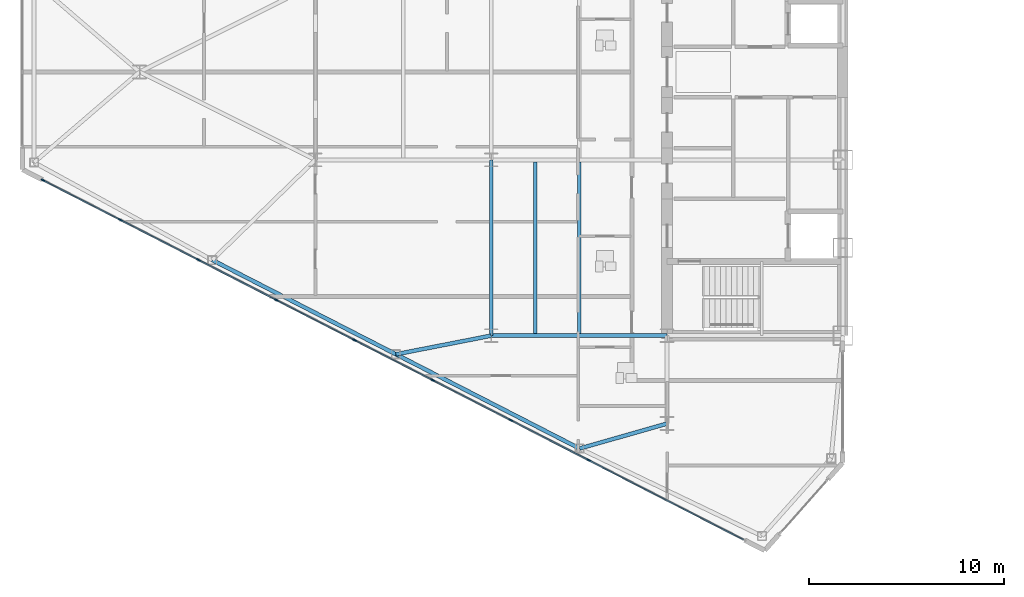
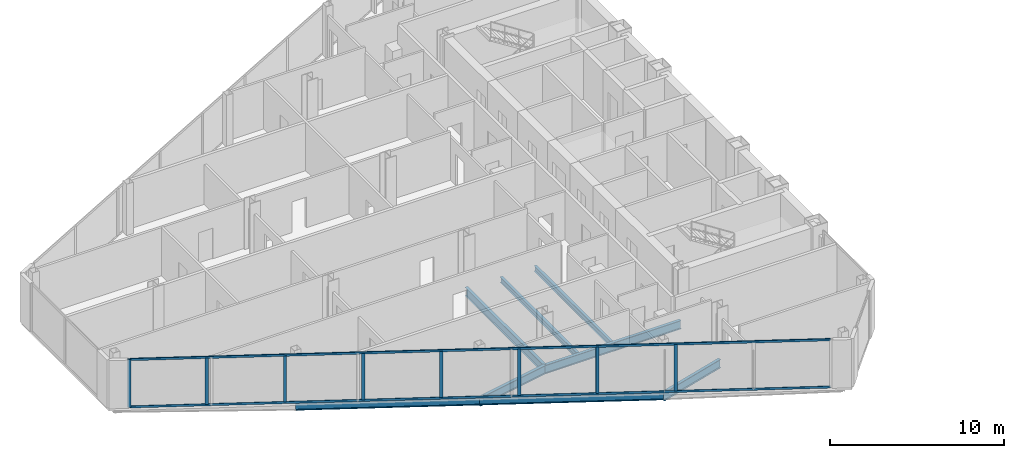
# One storey, part 3 of 23: 10 members, 8 beams, 1 element without a shape of its own.
"""IFC4 building model written with IfcOpenShell, lengths in metres."""

from ifc_helpers import new_model, si_unit, direction, frame, origin, origin_2d, place, context, subcontext, project, spatial, rectangle, i_section, extrude, source, transform, mapped, material, layer, layer_set, material_profile, profile_set, type_object, type_shapes, element, aggregate, save


model = new_model("IFC4")

# Units and contexts
model_context = context("Model", 3, precision=1e-05, world=origin(), true_north=direction((0.0, 1.0)))
body_context = subcontext(model_context, "Body", "Model", "MODEL_VIEW")
ifc_project = project(units=[si_unit("LENGTHUNIT", "METRE"), si_unit("AREAUNIT", "SQUARE_METRE"), si_unit("VOLUMEUNIT", "CUBIC_METRE"), si_unit("PLANEANGLEUNIT", "RADIAN"), si_unit("MASSUNIT", "GRAM", prefix="KILO")], contexts=[model_context])

# Site, building, storey
site_placement = place(None, origin())
site = spatial("IfcSite", under=ifc_project, at=site_placement, CompositionType="ELEMENT")
building_placement = place(site_placement, origin())
building = spatial("IfcBuilding", under=site, at=building_placement, Name="Seokmaru Belvedere", CompositionType="ELEMENT")
storey_placement = place(building_placement, frame((0.0, 0.0, 147.60009765625)))
storey = spatial("IfcBuildingStorey", under=building, at=storey_placement, Name="L39", CompositionType="ELEMENT", Elevation=147.60009765625)

# Beams
ifc_material_1 = material(Name="Steel SM355 (355 MPa)", Category="steel")
ifc_material_profile_1 = material_profile(ifc_material_1, i_section(OverallWidth=0.199951171875, OverallDepth=0.60009765625, WebThickness=0.010986328125, FlangeThickness=0.01708984375, at=origin_2d()), Name="H-600x200x11x17")
ifc_profile_set_1 = profile_set([ifc_material_profile_1], Name="Steel SM355 (355 MPa)")
beam_type_1 = type_object("IfcBeamType", Name="Primary Floor Girder H-600", PredefinedType="BEAM", material=ifc_profile_set_1)
shared_shape_1 = source(origin(), body_context, "Body", "SweptSolid", [
    extrude(i_section(OverallWidth=0.199951171875, OverallDepth=0.60009765625, WebThickness=0.010986328125, FlangeThickness=0.01708984375, at=origin_2d()), origin(), (0.0, 0.0, 1.0), 9.0),
])
for number, where, z_axis, x_axis, name in (
    (1, (-45.5, -13.5, -0.52001953125), (0.0, 1.0, 0.0), (-1.0, 0.0, 0.0), "L39 W Interior Grid Girder 1"),
    (2, (-45.5, -13.5, -0.52001953125), (1.0, 0.0, 0.0), (0.0, 1.0, 0.0), "L39 W Wing Primary Girder 1"),
):
    element("IfcBeam", number, at=place(storey_placement, frame(where, z_axis=z_axis, x_axis=x_axis)), inside=storey, type_object=beam_type_1, Name=name, PredefinedType="BEAM", context=body_context, shape_type="MappedRepresentation", body=[
        mapped(shared_shape_1, transform((0.0, 0.0, 0.0), scale=1.0)),
    ])
ifc_material_profile_2 = material_profile(ifc_material_1, i_section(OverallWidth=0.18505859375, OverallDepth=0.389892578125, WebThickness=0.008056640625, FlangeThickness=0.011962890625, at=origin_2d()), Name="H-390x185x8x12")
ifc_profile_set_2 = profile_set([ifc_material_profile_2], Name="Steel SM355 (355 MPa)")
beam_type_2 = type_object("IfcBeamType", Name="Secondary Floor Joist H-350", PredefinedType="JOIST", material=ifc_profile_set_2)
shared_shape_2 = source(origin(), body_context, "Body", "SweptSolid", [
    extrude(i_section(OverallWidth=0.18505859375, OverallDepth=0.389892578125, WebThickness=0.008056640625, FlangeThickness=0.011962890625, at=origin_2d()), origin(), (0.0, 0.0, 1.0), 8.7900390625),
])
type_shapes(beam_type_2, [shared_shape_2])
for number, where, z_axis, x_axis, name in (
    (3, (-43.25, -13.39501953125, -0.4150390625), (0.0, 1.0, 0.0), (-1.0, 0.0, 0.0), "L39 W Wing Inner Secondary Joist 1"),
    (4, (-41.0, -13.39501953125, -0.4150390625), (0.0, 1.0, 0.0), (-1.0, 0.0, 0.0), "L39 W Secondary Floor Joist 1"),
):
    element("IfcBeam", number, at=place(storey_placement, frame(where, z_axis=z_axis, x_axis=x_axis)), inside=storey, type_object=beam_type_2, Name=name, PredefinedType="JOIST", context=body_context, shape_type="MappedRepresentation", body=[
        mapped(shared_shape_2, transform((0.0, 0.0, 0.0), scale=1.0)),
    ])
ifc_material_profile_3 = material_profile(ifc_material_1, i_section(OverallWidth=0.199951171875, OverallDepth=0.5, WebThickness=0.010009765625, FlangeThickness=0.01611328125, at=origin_2d()), Name="H-500x200x10x16")
ifc_profile_set_3 = profile_set([ifc_material_profile_3], Name="Steel SM355 (355 MPa)")
beam_type_3 = type_object("IfcBeamType", Name="Perimeter Spandrel Beam H-500", PredefinedType="SPANDREL", material=ifc_profile_set_3)
shared_shape_3 = source(origin(), body_context, "Body", "SweptSolid", [
    extrude(i_section(OverallWidth=0.199951171875, OverallDepth=0.5, WebThickness=0.010009765625, FlangeThickness=0.01611328125, at=origin_2d()), origin(), (0.0, 0.0, 1.0), 10.56689453125),
])
type_shapes(beam_type_3, [shared_shape_3])
for number, where, z_axis, x_axis, name in (
    (5, (-40.975830078125, -19.277587890625, -0.47021484375), (-0.889701972758, 0.45654178305, 0.0), (-0.45654178305, -0.889701972758, 0.0), "L39 W Faceted Flank Spandrel S-2"),
    (6, (-50.377197265625, -14.453369140625, -0.47021484375), (-0.889692588006, 0.456560071455, 0.0), (-0.456560071455, -0.889692588006, 0.0), "L39 W Faceted Flank Spandrel S-3"),
):
    element("IfcBeam", number, at=place(storey_placement, frame(where, z_axis=z_axis, x_axis=x_axis)), inside=storey, type_object=beam_type_3, Name=name, PredefinedType="SPANDREL", context=body_context, shape_type="MappedRepresentation", body=[
        mapped(shared_shape_3, transform((0.0, 0.0, 0.0), scale=1.0)),
    ])
shared_shape_4 = source(origin(), body_context, "Body", "SweptSolid", [
    extrude(i_section(OverallWidth=0.199951171875, OverallDepth=0.60009765625, WebThickness=0.010986328125, FlangeThickness=0.01708984375, at=origin_2d()), origin(), (0.0, 0.0, 1.0), 4.654541015625),
])
beam_1_placement = place(storey_placement, frame((-40.975830078125, -19.277587890625, -0.52001953125), z_axis=(0.961593192625, 0.274478654721, 0.0), x_axis=(-0.274478654721, 0.961593192625, 0.0)))
element("IfcBeam", 7, at=beam_1_placement, inside=storey, type_object=beam_type_1, Name="L39 W Flank Radial Floor Girder S-1", PredefinedType="BEAM", context=body_context, shape_type="MappedRepresentation", body=[
    mapped(shared_shape_4, transform((0.0, 0.0, 0.0), scale=1.0)),
])
shared_shape_5 = source(origin(), body_context, "Body", "SweptSolid", [
    extrude(i_section(OverallWidth=0.199951171875, OverallDepth=0.60009765625, WebThickness=0.010986328125, FlangeThickness=0.01708984375, at=origin_2d()), origin(), (0.0, 0.0, 1.0), 4.969482421875),
])
type_shapes(beam_type_1, [shared_shape_1, shared_shape_4, shared_shape_5])
beam_2_placement = place(storey_placement, frame((-50.377197265625, -14.453369140625, -0.52001953125), z_axis=(0.98142544456, 0.19184393858, 0.0), x_axis=(-0.19184393858, 0.98142544456, 0.0)))
element("IfcBeam", 8, at=beam_2_placement, inside=storey, type_object=beam_type_1, Name="L39 W Flank Radial Floor Girder S-2", PredefinedType="BEAM", context=body_context, shape_type="MappedRepresentation", body=[
    mapped(shared_shape_5, transform((0.0, 0.0, 0.0), scale=1.0)),
])

# Curtain wall, members
ifc_material_2 = material(Name="Bronze Triple Insulating Glass", Category="glass")
ifc_layer = layer(ifc_material_2, 0.195068359375)
ifc_layer_set = layer_set([ifc_layer], Name="Bronze Triple Insulating Glass")
curtain_wall_type = type_object("IfcCurtainWallType", Name="Sky-Lobby and Mid-Rise Curtain Wall System CW-4", PredefinedType="NOTDEFINED", material=ifc_layer_set)
curtain_wall_placement = place(storey_placement, origin())
curtain_wall = element("IfcCurtainWall", 9, at=curtain_wall_placement, inside=storey, type_object=curtain_wall_type, Name="L39 Curtain Wall WF5", PredefinedType="NOTDEFINED")
ifc_material_3 = material(Name="Anodised Bronze Aluminium", Category="aluminium")
ifc_material_profile_4 = material_profile(ifc_material_3, rectangle(XDim=0.070068359375, YDim=0.195068359375, at=origin_2d()), Name="CW-M-70x195")
ifc_profile_set_4 = profile_set([ifc_material_profile_4], Name="Anodised Bronze Aluminium")
member_type_1 = type_object("IfcMemberType", Name="Bronze Unitised Mullion 70x195", PredefinedType="MULLION", material=ifc_profile_set_4)
shared_shape_6 = source(origin(), body_context, "Body", "SweptSolid", [
    extrude(rectangle(XDim=0.070068359375, YDim=0.195068359375, at=origin_2d()), origin(), (0.0, 0.0, 1.0), 3.3798828125),
])
member_1_placement = place(storey_placement, frame((-68.44580078125, -5.541015625, 0.0), z_axis=(0.0, 0.0, 1.0), x_axis=(0.456554528263, 0.889695432562, 0.0)))
member_1 = element("IfcMember", 10, at=member_1_placement, type_object=member_type_1, Name="CW:L39:WF5 Mullion 1", PredefinedType="MULLION", context=body_context, shape_type="MappedRepresentation", body=[
    mapped(shared_shape_6, transform((0.0, 0.0, 0.0), scale=1.0)),
])
shared_shape_7 = source(origin(), body_context, "Body", "SweptSolid", [
    extrude(rectangle(XDim=0.070068359375, YDim=0.195068359375, at=origin_2d()), origin(), (0.0, 0.0, 1.0), 3.25),
])
type_shapes(member_type_1, [shared_shape_6, shared_shape_7])
member_2_placement = place(storey_placement, frame((-64.48193359375, -7.574951171875, 0.06494140625), z_axis=(0.0, 0.0, 1.0), x_axis=(0.456554528263, 0.889695432562, 0.0)))
member_2 = element("IfcMember", 11, at=member_2_placement, type_object=member_type_1, Name="CW:L39:WF5 Mullion 2", PredefinedType="MULLION", context=body_context, shape_type="MappedRepresentation", body=[
    mapped(shared_shape_7, transform((0.0, 0.0, 0.0), scale=1.0)),
])
member_3_placement = place(storey_placement, frame((-60.4873046875, -9.625, 0.06494140625), z_axis=(0.0, 0.0, 1.0), x_axis=(0.456554528263, 0.889695432562, 0.0)))
member_3 = element("IfcMember", 12, at=member_3_placement, type_object=member_type_1, Name="CW:L39:WF5 Mullion 3", PredefinedType="MULLION", context=body_context, shape_type="MappedRepresentation", body=[
    mapped(shared_shape_7, transform((0.0, 0.0, 0.0), scale=1.0)),
])
member_4_placement = place(storey_placement, frame((-56.4921875, -11.675048828125, 0.06494140625), z_axis=(0.0, 0.0, 1.0), x_axis=(0.456554528263, 0.889695432562, 0.0)))
member_4 = element("IfcMember", 13, at=member_4_placement, type_object=member_type_1, Name="CW:L39:WF5 Mullion 4", PredefinedType="MULLION", context=body_context, shape_type="MappedRepresentation", body=[
    mapped(shared_shape_7, transform((0.0, 0.0, 0.0), scale=1.0)),
])
member_5_placement = place(storey_placement, frame((-52.497314453125, -13.72509765625, 0.06494140625), z_axis=(0.0, 0.0, 1.0), x_axis=(0.456554528263, 0.889695432562, 0.0)))
member_5 = element("IfcMember", 14, at=member_5_placement, type_object=member_type_1, Name="CW:L39:WF5 Mullion 5", PredefinedType="MULLION", context=body_context, shape_type="MappedRepresentation", body=[
    mapped(shared_shape_7, transform((0.0, 0.0, 0.0), scale=1.0)),
])
member_6_placement = place(storey_placement, frame((-48.502685546875, -15.77490234375, 0.06494140625), z_axis=(0.0, 0.0, 1.0), x_axis=(0.456554528263, 0.889695432562, 0.0)))
member_6 = element("IfcMember", 15, at=member_6_placement, type_object=member_type_1, Name="CW:L39:WF5 Mullion 6", PredefinedType="MULLION", context=body_context, shape_type="MappedRepresentation", body=[
    mapped(shared_shape_7, transform((0.0, 0.0, 0.0), scale=1.0)),
])
member_7_placement = place(storey_placement, frame((-44.5078125, -17.824951171875, 0.06494140625), z_axis=(0.0, 0.0, 1.0), x_axis=(0.456554528263, 0.889695432562, 0.0)))
member_7 = element("IfcMember", 16, at=member_7_placement, type_object=member_type_1, Name="CW:L39:WF5 Mullion 7", PredefinedType="MULLION", context=body_context, shape_type="MappedRepresentation", body=[
    mapped(shared_shape_7, transform((0.0, 0.0, 0.0), scale=1.0)),
])
member_8_placement = place(storey_placement, frame((-40.5126953125, -19.875, 0.06494140625), z_axis=(0.0, 0.0, 1.0), x_axis=(0.456554528263, 0.889695432562, 0.0)))
member_8 = element("IfcMember", 17, at=member_8_placement, type_object=member_type_1, Name="CW:L39:WF5 Mullion 8", PredefinedType="MULLION", context=body_context, shape_type="MappedRepresentation", body=[
    mapped(shared_shape_7, transform((0.0, 0.0, 0.0), scale=1.0)),
])
ifc_material_profile_5 = material_profile(ifc_material_3, rectangle(XDim=0.06494140625, YDim=0.14990234375, at=origin_2d()), Name="CW-T-65x150")
ifc_profile_set_5 = profile_set([ifc_material_profile_5], Name="Anodised Bronze Aluminium")
member_type_2 = type_object("IfcMemberType", Name="Bronze Unitised Transom 65x150", PredefinedType="USERDEFINED", material=ifc_profile_set_5)
shared_shape_8 = source(origin(), body_context, "Body", "SweptSolid", [
    extrude(rectangle(XDim=0.06494140625, YDim=0.14990234375, at=origin_2d()), origin(), (0.0, 0.0, 1.0), 40.271240234375),
])
type_shapes(member_type_2, [shared_shape_8])
member_9_placement = place(storey_placement, frame((-68.41455078125, -5.556884765625, 0.032470703125), z_axis=(0.889693089107, -0.456559094965, 0.0), x_axis=(0.456559094965, 0.889693089107, 0.0)))
member_9 = element("IfcMember", 18, at=member_9_placement, type_object=member_type_2, Name="CW:L39:WF5 Continuous Transom 1", ObjectType="TRANSOM", PredefinedType="USERDEFINED", context=body_context, shape_type="MappedRepresentation", body=[
    mapped(shared_shape_8, transform((0.0, 0.0, 0.0), scale=1.0)),
])
member_10_placement = place(storey_placement, frame((-68.41455078125, -5.556884765625, 3.347412109375), z_axis=(0.889693089107, -0.456559094965, 0.0), x_axis=(0.456559094965, 0.889693089107, 0.0)))
member_10 = element("IfcMember", 19, at=member_10_placement, type_object=member_type_2, Name="CW:L39:WF5 Continuous Transom 2", ObjectType="TRANSOM", PredefinedType="USERDEFINED", context=body_context, shape_type="MappedRepresentation", body=[
    mapped(shared_shape_8, transform((0.0, 0.0, 0.0), scale=1.0)),
])
aggregate(curtain_wall, [member_1, member_2, member_3, member_4, member_5, member_6, member_7, member_8, member_9, member_10])

save(model, "model.ifc")
